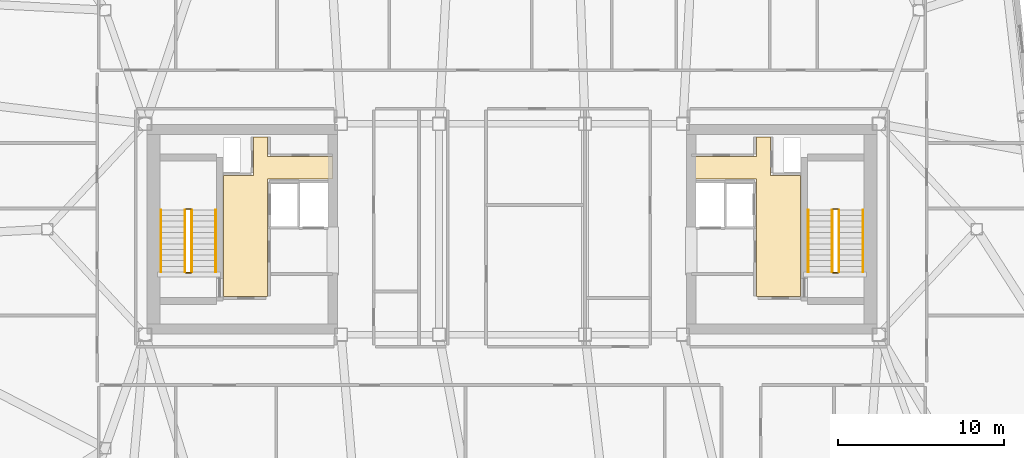
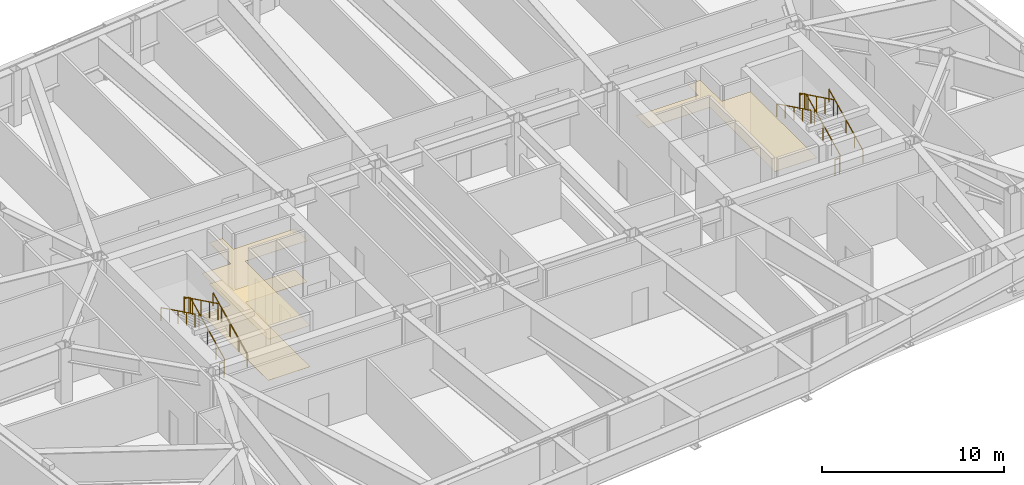
# One storey, part 18 of 18: 12 railings, 3 coverings.
"""IFC4 building model written with IfcOpenShell, lengths in metres."""

import ifcopenshell
import ifcopenshell.guid

model = None  # the IFC model being written
_history = None  # IfcOwnerHistory: only IFC2X3 demands one
_inside = {}  # id of a spatial element -> (the spatial element, [elements in it])
_under = {}  # id of a project, library or spatial element -> (it, [spatial elements below it])
_declared = {}  # id of a project -> (the project, [libraries it declares])
_typed = {}  # id of a type object -> (the type object, [elements of that type])
_made_of = {}  # id of a material, layer set ... -> (it, [elements and type objects made of it])


def new_model(schema):
    """Start an empty IFC model of exactly this schema.

    Asked for "IFC4X3", IfcOpenShell would pick the latest addendum, in which some entities
    have other attributes; the version numbers below select the first issue.
    IFC2X3 requires an IfcOwnerHistory on every rooted entity: one is made here for all.
    """
    global model, _history
    if schema == "IFC4X3":
        model = ifcopenshell.file(schema_version=(4, 3, 0, 0))
    else:
        model = ifcopenshell.file(schema=schema)
    _inside.clear()
    _under.clear()
    _declared.clear()
    _typed.clear()
    _made_of.clear()
    _history = None
    if model.schema == "IFC2X3":
        org = make("IfcOrganization", Name="unknown")
        user = make(
            "IfcPersonAndOrganization",
            ThePerson=make("IfcPerson", FamilyName="unknown"),
            TheOrganization=org,
        )
        app = make(
            "IfcApplication",
            ApplicationDeveloper=org,
            Version="unknown",
            ApplicationFullName="unknown",
            ApplicationIdentifier="unknown",
        )
        _history = make(
            "IfcOwnerHistory",
            OwningUser=user,
            OwningApplication=app,
            ChangeAction="ADDED",
            CreationDate=0,
        )
    return model


def make(cls, **values):
    """One entity of the class cls with the attributes given. An attribute that is None is left unset."""
    return model.create_entity(
        cls, **{name: value for name, value in values.items() if value is not None}
    )


def rooted(cls, **values):
    """An entity with a GlobalId (a new one), such as an element, a storey or a relation."""
    return make(cls, GlobalId=ifcopenshell.guid.new(), OwnerHistory=_history, **values)


def si_unit(unit_type, name, prefix=None):
    """IfcSIUnit, for example si_unit("LENGTHUNIT", "METRE", prefix="MILLI")."""
    return make("IfcSIUnit", UnitType=unit_type, Prefix=prefix, Name=name)


def assignment(units):
    """IfcUnitAssignment: the units of a project."""
    return None if units is None else make("IfcUnitAssignment", Units=units)


def point(xyz):
    """IfcCartesianPoint."""
    return None if xyz is None else make("IfcCartesianPoint", Coordinates=xyz)


def direction(xyz):
    """IfcDirection."""
    return None if xyz is None else make("IfcDirection", DirectionRatios=xyz)


def frame(location, z_axis=None, x_axis=None):
    """IfcAxis2Placement3D, a coordinate frame: its origin and axes. An axis left out is left unset."""
    return make(
        "IfcAxis2Placement3D",
        Location=point(location),
        Axis=direction(z_axis),
        RefDirection=direction(x_axis),
    )


def frame_2d(location, x_axis=None):
    """IfcAxis2Placement2D, a coordinate frame in the plane: its origin and x axis."""
    return make(
        "IfcAxis2Placement2D", Location=point(location), RefDirection=direction(x_axis)
    )


def origin():
    """The frame at (0, 0, 0) with its axes left unset."""
    return frame((0.0, 0.0, 0.0))


def origin_2d():
    """The frame at (0, 0) in the plane with its x axis left unset."""
    return frame_2d((0.0, 0.0))


def place(relative_to, where):
    """IfcLocalPlacement: puts the frame where relative to a parent placement (None: the world)."""
    return make(
        "IfcLocalPlacement", PlacementRelTo=relative_to, RelativePlacement=where
    )


def context(
    kind, dimensions, precision=None, world=None, true_north=None, identifier=None
):
    """IfcGeometricRepresentationContext, for example the 3D "Model" context."""
    return make(
        "IfcGeometricRepresentationContext",
        ContextIdentifier=identifier,
        ContextType=kind,
        CoordinateSpaceDimension=dimensions,
        Precision=precision,
        WorldCoordinateSystem=world,
        TrueNorth=true_north,
    )


def subcontext(parent, identifier, kind, view, scale=None):
    """IfcGeometricRepresentationSubContext, for example "Body" below "Model"."""
    return make(
        "IfcGeometricRepresentationSubContext",
        ContextIdentifier=identifier,
        ContextType=kind,
        ParentContext=parent,
        TargetScale=scale,
        TargetView=view,
    )


def project(units=None, contexts=None):
    """IfcProject with its units and contexts."""
    return rooted(
        "IfcProject",
        Name="project",
        RepresentationContexts=contexts,
        UnitsInContext=assignment(units),
    )


def spatial(cls, under=None, at=None, **own):
    """A site, building, storey or space (cls), placed at a placement, below another one or the project."""
    s = rooted(cls, ObjectPlacement=at, **own)
    if under is not None:
        _under.setdefault(under.id(), (under, []))[1].append(s)
    return s


def polyline(points):
    """IfcPolyline through the points."""
    return make("IfcPolyline", Points=[point(p) for p in points])


def profile(cls, at=None, kind="AREA", **sizes):
    """A parametric profile (cls). Its sizes go by their IFC names, for example OverallWidth=200.0."""
    return make(cls, ProfileType=kind, Position=at, **sizes)


def rectangle(**sizes):
    """IfcRectangleProfileDef."""
    return profile("IfcRectangleProfileDef", **sizes)


def outline(outer, holes=None, kind="AREA"):
    """IfcArbitraryClosedProfileDef: a profile drawn as a closed curve; with holes, ...WithVoids."""
    if holes is None:
        return make("IfcArbitraryClosedProfileDef", ProfileType=kind, OuterCurve=outer)
    return make(
        "IfcArbitraryProfileDefWithVoids",
        ProfileType=kind,
        OuterCurve=outer,
        InnerCurves=holes,
    )


def extrude(swept, where, along, depth):
    """IfcExtrudedAreaSolid: the profile swept, set in the frame where, extruded along a direction by depth."""
    return make(
        "IfcExtrudedAreaSolid",
        SweptArea=swept,
        Position=where,
        ExtrudedDirection=direction(along),
        Depth=depth,
    )


def shape(context_of_items, identifier, shape_type, items):
    """IfcShapeRepresentation: the items that make up one representation, for example the "Body"."""
    return make(
        "IfcShapeRepresentation",
        ContextOfItems=context_of_items,
        RepresentationIdentifier=identifier,
        RepresentationType=shape_type,
        Items=items,
    )


def material(Name=None, Category=None):
    """IfcMaterial."""
    return make("IfcMaterial", Name=Name, Category=Category)


def layer(
    of_material, thickness, ventilated=None, Name=None, Category=None, Priority=None
):
    """IfcMaterialLayer: one layer of a wall or slab, of a material (None: an air gap)."""
    return make(
        "IfcMaterialLayer",
        Material=of_material,
        LayerThickness=thickness,
        IsVentilated=ventilated,
        Name=Name,
        Category=Category,
        Priority=Priority,
    )


def layer_set(layers, Name=None):
    """IfcMaterialLayerSet."""
    return make("IfcMaterialLayerSet", MaterialLayers=layers, LayerSetName=Name)


def made_of(thing, what):
    """Note that an element or type object is made of a material, layer set ...; save() writes the relation."""
    if what is not None:
        _made_of.setdefault(what.id(), (what, []))[1].append(thing)
    return thing


def type_object(cls, material=None, **own):
    """A type object (cls), such as IfcWallType, which elements share."""
    return made_of(rooted(cls, **own), material)


def element(
    cls,
    number,
    at=None,
    inside=None,
    cuts=None,
    type_object=None,
    material=None,
    context=None,
    identifier="Body",
    shape_type=None,
    held_by="IfcProductDefinitionShape",
    body=None,
    shapes=None,
    **own,
):
    """One element of the class cls, such as IfcWall. Its Tag is "e" and its number.

    at: its placement. inside: the storey or other place that contains it. cuts: it is an
    opening in that element (IfcRelVoidsElement). A single representation is given by context,
    identifier, shape_type and body (its items); several are given by shapes. held_by: the class
    of the entity that holds the representations. save() writes the other relations.
    """
    e = rooted(cls, Tag="e%d" % number, ObjectPlacement=at, **own)
    if body is not None:
        shapes = [shape(context, identifier, shape_type, body)]
    if shapes is not None:
        e.Representation = make(held_by, Representations=shapes)
    if inside is not None:
        _inside.setdefault(inside.id(), (inside, []))[1].append(e)
    if cuts is not None:
        rooted(
            "IfcRelVoidsElement", RelatingBuildingElement=cuts, RelatedOpeningElement=e
        )
    if type_object is not None:
        _typed.setdefault(type_object.id(), (type_object, []))[1].append(e)
    return made_of(e, material)


def aggregate(whole, parts):
    """IfcRelAggregates: a whole, such as a stair, and the parts it consists of."""
    return rooted("IfcRelAggregates", RelatingObject=whole, RelatedObjects=parts)


def save(model, path):
    """Write the relations noted so far, then the file.

    IfcRelAggregates (storeys below a building ...), IfcRelContainedInSpatialStructure (elements
    in a storey), IfcRelDefinesByType, IfcRelAssociatesMaterial and IfcRelDeclares: one each for
    every whole, place, type object, material and project.
    """
    for whole, parts in _under.values():
        aggregate(whole, parts)
    for where, things in _inside.values():
        rooted(
            "IfcRelContainedInSpatialStructure",
            RelatedElements=things,
            RelatingStructure=where,
        )
    for kind, things in _typed.values():
        rooted("IfcRelDefinesByType", RelatedObjects=things, RelatingType=kind)
    for what, things in _made_of.values():
        rooted("IfcRelAssociatesMaterial", RelatedObjects=things, RelatingMaterial=what)
    for by, libraries in _declared.values():
        rooted("IfcRelDeclares", RelatingContext=by, RelatedDefinitions=libraries)
    model.write(path)


model = new_model("IFC4")

# Units and contexts
model_context = context("Model", 3, precision=1e-05, world=origin(), true_north=direction((0.0, 1.0)))
body_context = subcontext(model_context, "Body", "Model", "MODEL_VIEW")
ifc_project = project(units=[si_unit("LENGTHUNIT", "METRE"), si_unit("AREAUNIT", "SQUARE_METRE"), si_unit("VOLUMEUNIT", "CUBIC_METRE"), si_unit("PLANEANGLEUNIT", "RADIAN"), si_unit("MASSUNIT", "GRAM", prefix="KILO")], contexts=[model_context])

# Site, building, storey
site_placement = place(None, origin())
site = spatial("IfcSite", under=ifc_project, at=site_placement, CompositionType="ELEMENT")
building_placement = place(site_placement, origin())
building = spatial("IfcBuilding", under=site, at=building_placement, Name="Tavrogorsk Clinical Tower", CompositionType="ELEMENT")
storey_placement = place(building_placement, frame((0.0, 0.0, 267.0)))
storey = spatial("IfcBuildingStorey", under=building, at=storey_placement, Name="L62", CompositionType="ELEMENT", Elevation=267.0)

# Coverings
ifc_material_1 = material(Name="Antibacterial micro-perforated aluminium ceiling", Category="aluminium")
ifc_layer_1 = layer(ifc_material_1, 0.014892578125)
ifc_layer_set_1 = layer_set([ifc_layer_1], Name="Antibacterial micro-perforated aluminium ceiling")
covering_type_1 = type_object("IfcCoveringType", Name="ClinicalCeiling_15", PredefinedType="CEILING", material=ifc_layer_set_1)
covering_1_placement = place(storey_placement, frame((0.0, 0.0, 2.75)))
element("IfcCovering", 1, at=covering_1_placement, inside=storey, type_object=covering_type_1, Name="Core West Firefighting Lift Lobby Acoustic Ceiling", PredefinedType="CEILING", context=body_context, shape_type="SweptSolid", body=[
    extrude(outline(polyline([(-14.719970703125, 4.3798828125), (-10.800048828125, 4.3798828125), (-10.800048828125, 3.0400390625), (-14.719970703125, 3.0400390625), (-14.719970703125, -4.06005859375), (-17.3798828125, -4.06005859375), (-17.3798828125, 3.239990234375), (-15.56005859375, 3.239990234375), (-15.56005859375, 5.56005859375), (-14.719970703125, 5.56005859375), (-14.719970703125, 4.3798828125)])), origin(), (0.0, 0.0, 1.0), 0.014892578125),
])
covering_2_placement = place(storey_placement, frame((0.0, 0.0, 2.75)))
element("IfcCovering", 2, at=covering_2_placement, inside=storey, type_object=covering_type_1, Name="Core East Firefighting Lift Lobby Acoustic Ceiling", PredefinedType="CEILING", context=body_context, shape_type="SweptSolid", body=[
    extrude(outline(polyline([(14.719970703125, -4.06005859375), (14.719970703125, 3.0400390625), (10.800048828125, 3.0400390625), (10.800048828125, 4.3798828125), (14.719970703125, 4.3798828125), (14.719970703125, 5.56005859375), (15.56005859375, 5.56005859375), (15.56005859375, 3.239990234375), (17.3798828125, 3.239990234375), (17.3798828125, -4.06005859375), (14.719970703125, -4.06005859375)])), origin(), (0.0, 0.0, 1.0), 0.014892578125),
])
ifc_material_2 = material(Name="Homogeneous medical conductive PVC flooring")
ifc_layer_2 = layer(ifc_material_2, 0.008056640625)
ifc_layer_set_2 = layer_set([ifc_layer_2], Name="Homogeneous medical conductive PVC flooring")
covering_type_2 = type_object("IfcCoveringType", Name="ResilientVinylFloor_8", PredefinedType="FLOORING", material=ifc_layer_set_2)
covering_3_placement = place(storey_placement, origin())
element("IfcCovering", 3, at=covering_3_placement, inside=storey, type_object=covering_type_2, Name="Core West Firefighting Lift Lobby Conductive Vinyl Flooring", PredefinedType="FLOORING", context=body_context, shape_type="SweptSolid", body=[
    extrude(outline(polyline([(-14.719970703125, 4.3798828125), (-10.800048828125, 4.3798828125), (-10.800048828125, 3.0400390625), (-14.719970703125, 3.0400390625), (-14.719970703125, -4.06005859375), (-17.3798828125, -4.06005859375), (-17.3798828125, 3.239990234375), (-15.56005859375, 3.239990234375), (-15.56005859375, 5.56005859375), (-14.719970703125, 5.56005859375), (-14.719970703125, 4.3798828125)])), origin(), (0.0, 0.0, 1.0), 0.008056640625),
])

# Railings
ifc_material_3 = material(Name="Galvanised steel S355 safety stairwell guard", Category="steel")
ifc_layer_3 = layer(ifc_material_3, 0.06005859375)
ifc_layer_set_3 = layer_set([ifc_layer_3], Name="Galvanised steel S355 safety stairwell guard")
railing_type_1 = type_object("IfcRailingType", Name="StairGuard_1150", PredefinedType="GUARDRAIL", material=ifc_layer_set_3)
railing_1_placement = place(storey_placement, frame((-19.300048828125, -2.574951171875, 0.166748046875)))
element("IfcRailing", 4, at=railing_1_placement, inside=storey, type_object=railing_type_1, Name="L62 ST-W stair guard 1", PredefinedType="GUARDRAIL", context=body_context, shape_type="SweptSolid", body=[
    extrude(rectangle(XDim=0.048095703125, YDim=0.048095703125, at=origin_2d()), frame((0.0, 0.0, 1.076171875), z_axis=(0.0, 0.897927990467, 0.440142390523), x_axis=(-1.0, 0.0, 0.0)), (0.0, 0.0, 1.0), 4.1650390625),
    extrude(rectangle(XDim=0.0419921875, YDim=0.0419921875, at=origin_2d()), origin(), (0.0, 0.0, 1.0), 1.052001953125),
    extrude(rectangle(XDim=0.0419921875, YDim=0.0419921875, at=origin_2d()), frame((0.0, 0.93505859375, 0.458251953125)), (0.0, 0.0, 1.0), 1.052001953125),
    extrude(rectangle(XDim=0.0419921875, YDim=0.0419921875, at=origin_2d()), frame((0.0, 1.8701171875, 0.91650390625)), (0.0, 0.0, 1.0), 1.052001953125),
    extrude(rectangle(XDim=0.0419921875, YDim=0.0419921875, at=origin_2d()), frame((0.0, 2.804931640625, 1.375)), (0.0, 0.0, 1.0), 1.052001953125),
    extrude(rectangle(XDim=0.0419921875, YDim=0.0419921875, at=origin_2d()), frame((0.0, 3.739990234375, 1.833251953125)), (0.0, 0.0, 1.0), 1.052001953125),
])
railing_2_placement = place(storey_placement, frame((-19.35009765625, 1.215087890625, 2.0)))
element("IfcRailing", 5, at=railing_2_placement, inside=storey, type_object=railing_type_1, Name="L62 ST-W stair guard 2", PredefinedType="GUARDRAIL", context=body_context, shape_type="SweptSolid", body=[
    extrude(rectangle(XDim=0.048095703125, YDim=0.048095703125, at=origin_2d()), frame((0.0, 0.0, 1.076171875), z_axis=(-1.0, 0.0, 0.0), x_axis=(0.0, -1.0, 0.0)), (0.0, 0.0, 1.0), 0.2998046875),
    extrude(rectangle(XDim=0.0419921875, YDim=0.0419921875, at=origin_2d()), origin(), (0.0, 0.0, 1.0), 1.052001953125),
    extrude(rectangle(XDim=0.0419921875, YDim=0.0419921875, at=origin_2d()), frame((-0.2998046875, 0.0, 0.0)), (0.0, 0.0, 1.0), 1.052001953125),
])
railing_3_placement = place(storey_placement, frame((-19.699951171875, 1.1650390625, 2.166748046875)))
element("IfcRailing", 6, at=railing_3_placement, inside=storey, type_object=railing_type_1, Name="L62 ST-W stair guard 3", PredefinedType="GUARDRAIL", context=body_context, shape_type="SweptSolid", body=[
    extrude(rectangle(XDim=0.048095703125, YDim=0.048095703125, at=origin_2d()), frame((0.0, 0.0, 1.076171875), z_axis=(0.0, -0.897927990467, 0.440142390523), x_axis=(1.0, 0.0, 0.0)), (0.0, 0.0, 1.0), 4.1650390625),
    extrude(rectangle(XDim=0.0419921875, YDim=0.0419921875, at=origin_2d()), origin(), (0.0, 0.0, 1.0), 1.052001953125),
    extrude(rectangle(XDim=0.0419921875, YDim=0.0419921875, at=origin_2d()), frame((0.0, -0.93505859375, 0.458251953125)), (0.0, 0.0, 1.0), 1.052001953125),
    extrude(rectangle(XDim=0.0419921875, YDim=0.0419921875, at=origin_2d()), frame((0.0, -1.8701171875, 0.91650390625)), (0.0, 0.0, 1.0), 1.052001953125),
    extrude(rectangle(XDim=0.0419921875, YDim=0.0419921875, at=origin_2d()), frame((0.0, -2.804931640625, 1.375)), (0.0, 0.0, 1.0), 1.052001953125),
    extrude(rectangle(XDim=0.0419921875, YDim=0.0419921875, at=origin_2d()), frame((0.0, -3.739990234375, 1.833251953125)), (0.0, 0.0, 1.0), 1.052001953125),
])
railing_4_placement = place(storey_placement, frame((-19.35009765625, -2.625, 0.0)))
element("IfcRailing", 7, at=railing_4_placement, inside=storey, type_object=railing_type_1, Name="L62 ST-W stair guard 4", PredefinedType="GUARDRAIL", context=body_context, shape_type="SweptSolid", body=[
    extrude(rectangle(XDim=0.048095703125, YDim=0.048095703125, at=origin_2d()), frame((0.0, 0.0, 1.076171875), z_axis=(-1.0, 0.0, 0.0), x_axis=(0.0, -1.0, 0.0)), (0.0, 0.0, 1.0), 0.2998046875),
    extrude(rectangle(XDim=0.0419921875, YDim=0.0419921875, at=origin_2d()), origin(), (0.0, 0.0, 1.0), 1.052001953125),
    extrude(rectangle(XDim=0.0419921875, YDim=0.0419921875, at=origin_2d()), frame((-0.2998046875, 0.0, 0.0)), (0.0, 0.0, 1.0), 1.052001953125),
])
railing_5_placement = place(storey_placement, frame((19.699951171875, -2.574951171875, 0.166748046875)))
element("IfcRailing", 8, at=railing_5_placement, inside=storey, type_object=railing_type_1, Name="L62 ST-E stair guard 1", PredefinedType="GUARDRAIL", context=body_context, shape_type="SweptSolid", body=[
    extrude(rectangle(XDim=0.048095703125, YDim=0.048095703125, at=origin_2d()), frame((0.0, 0.0, 1.076171875), z_axis=(0.0, 0.897927990467, 0.440142390523), x_axis=(-1.0, 0.0, 0.0)), (0.0, 0.0, 1.0), 4.1650390625),
    extrude(rectangle(XDim=0.0419921875, YDim=0.0419921875, at=origin_2d()), origin(), (0.0, 0.0, 1.0), 1.052001953125),
    extrude(rectangle(XDim=0.0419921875, YDim=0.0419921875, at=origin_2d()), frame((0.0, 0.93505859375, 0.458251953125)), (0.0, 0.0, 1.0), 1.052001953125),
    extrude(rectangle(XDim=0.0419921875, YDim=0.0419921875, at=origin_2d()), frame((0.0, 1.8701171875, 0.91650390625)), (0.0, 0.0, 1.0), 1.052001953125),
    extrude(rectangle(XDim=0.0419921875, YDim=0.0419921875, at=origin_2d()), frame((0.0, 2.804931640625, 1.375)), (0.0, 0.0, 1.0), 1.052001953125),
    extrude(rectangle(XDim=0.0419921875, YDim=0.0419921875, at=origin_2d()), frame((0.0, 3.739990234375, 1.833251953125)), (0.0, 0.0, 1.0), 1.052001953125),
])
railing_6_placement = place(storey_placement, frame((19.64990234375, 1.215087890625, 2.0)))
element("IfcRailing", 9, at=railing_6_placement, inside=storey, type_object=railing_type_1, Name="L62 ST-E stair guard 2", PredefinedType="GUARDRAIL", context=body_context, shape_type="SweptSolid", body=[
    extrude(rectangle(XDim=0.048095703125, YDim=0.048095703125, at=origin_2d()), frame((0.0, 0.0, 1.076171875), z_axis=(-1.0, 0.0, 0.0), x_axis=(0.0, -1.0, 0.0)), (0.0, 0.0, 1.0), 0.2998046875),
    extrude(rectangle(XDim=0.0419921875, YDim=0.0419921875, at=origin_2d()), origin(), (0.0, 0.0, 1.0), 1.052001953125),
    extrude(rectangle(XDim=0.0419921875, YDim=0.0419921875, at=origin_2d()), frame((-0.2998046875, 0.0, 0.0)), (0.0, 0.0, 1.0), 1.052001953125),
])
railing_7_placement = place(storey_placement, frame((19.300048828125, 1.1650390625, 2.166748046875)))
element("IfcRailing", 10, at=railing_7_placement, inside=storey, type_object=railing_type_1, Name="L62 ST-E stair guard 3", PredefinedType="GUARDRAIL", context=body_context, shape_type="SweptSolid", body=[
    extrude(rectangle(XDim=0.048095703125, YDim=0.048095703125, at=origin_2d()), frame((0.0, 0.0, 1.076171875), z_axis=(0.0, -0.897927990467, 0.440142390523), x_axis=(1.0, 0.0, 0.0)), (0.0, 0.0, 1.0), 4.1650390625),
    extrude(rectangle(XDim=0.0419921875, YDim=0.0419921875, at=origin_2d()), origin(), (0.0, 0.0, 1.0), 1.052001953125),
    extrude(rectangle(XDim=0.0419921875, YDim=0.0419921875, at=origin_2d()), frame((0.0, -0.93505859375, 0.458251953125)), (0.0, 0.0, 1.0), 1.052001953125),
    extrude(rectangle(XDim=0.0419921875, YDim=0.0419921875, at=origin_2d()), frame((0.0, -1.8701171875, 0.91650390625)), (0.0, 0.0, 1.0), 1.052001953125),
    extrude(rectangle(XDim=0.0419921875, YDim=0.0419921875, at=origin_2d()), frame((0.0, -2.804931640625, 1.375)), (0.0, 0.0, 1.0), 1.052001953125),
    extrude(rectangle(XDim=0.0419921875, YDim=0.0419921875, at=origin_2d()), frame((0.0, -3.739990234375, 1.833251953125)), (0.0, 0.0, 1.0), 1.052001953125),
])
railing_8_placement = place(storey_placement, frame((19.64990234375, -2.625, 0.0)))
element("IfcRailing", 11, at=railing_8_placement, inside=storey, type_object=railing_type_1, Name="L62 ST-E stair guard 4", PredefinedType="GUARDRAIL", context=body_context, shape_type="SweptSolid", body=[
    extrude(rectangle(XDim=0.048095703125, YDim=0.048095703125, at=origin_2d()), frame((0.0, 0.0, 1.076171875), z_axis=(-1.0, 0.0, 0.0), x_axis=(0.0, -1.0, 0.0)), (0.0, 0.0, 1.0), 0.2998046875),
    extrude(rectangle(XDim=0.0419921875, YDim=0.0419921875, at=origin_2d()), origin(), (0.0, 0.0, 1.0), 1.052001953125),
    extrude(rectangle(XDim=0.0419921875, YDim=0.0419921875, at=origin_2d()), frame((-0.2998046875, 0.0, 0.0)), (0.0, 0.0, 1.0), 1.052001953125),
])
ifc_material_4 = material(Name="Stainless steel AISI 304 tubular handrail", Category="steel")
ifc_layer_4 = layer(ifc_material_4, 0.050048828125)
ifc_layer_set_4 = layer_set([ifc_layer_4], Name="Stainless steel AISI 304 tubular handrail")
railing_type_2 = type_object("IfcRailingType", Name="StairHandrail_920", PredefinedType="HANDRAIL", material=ifc_layer_set_4)
railing_9_placement = place(storey_placement, frame((-17.85009765625, -2.574951171875, 0.166748046875)))
element("IfcRailing", 12, at=railing_9_placement, inside=storey, type_object=railing_type_2, Name="L62 ST-W stair handrail 1", PredefinedType="HANDRAIL", context=body_context, shape_type="SweptSolid", body=[
    extrude(rectangle(XDim=0.048095703125, YDim=0.048095703125, at=origin_2d()), frame((0.0, 0.0, 0.8759765625), z_axis=(0.0, 0.897927990467, 0.440142390523), x_axis=(-1.0, 0.0, 0.0)), (0.0, 0.0, 1.0), 4.1650390625),
    extrude(rectangle(XDim=0.0419921875, YDim=0.0419921875, at=origin_2d()), origin(), (0.0, 0.0, 1.0), 0.851806640625),
    extrude(rectangle(XDim=0.0419921875, YDim=0.0419921875, at=origin_2d()), frame((0.0, 0.93505859375, 0.458251953125)), (0.0, 0.0, 1.0), 0.851806640625),
    extrude(rectangle(XDim=0.0419921875, YDim=0.0419921875, at=origin_2d()), frame((0.0, 1.8701171875, 0.91650390625)), (0.0, 0.0, 1.0), 0.851806640625),
    extrude(rectangle(XDim=0.0419921875, YDim=0.0419921875, at=origin_2d()), frame((0.0, 2.804931640625, 1.375)), (0.0, 0.0, 1.0), 0.851806640625),
    extrude(rectangle(XDim=0.0419921875, YDim=0.0419921875, at=origin_2d()), frame((0.0, 3.739990234375, 1.833251953125)), (0.0, 0.0, 1.0), 0.851806640625),
])
railing_10_placement = place(storey_placement, frame((-21.14990234375, 1.1650390625, 2.166748046875)))
element("IfcRailing", 13, at=railing_10_placement, inside=storey, type_object=railing_type_2, Name="L62 ST-W stair handrail 2", PredefinedType="HANDRAIL", context=body_context, shape_type="SweptSolid", body=[
    extrude(rectangle(XDim=0.048095703125, YDim=0.048095703125, at=origin_2d()), frame((0.0, 0.0, 0.8759765625), z_axis=(0.0, -0.897927990467, 0.440142390523), x_axis=(1.0, 0.0, 0.0)), (0.0, 0.0, 1.0), 4.1650390625),
    extrude(rectangle(XDim=0.0419921875, YDim=0.0419921875, at=origin_2d()), origin(), (0.0, 0.0, 1.0), 0.851806640625),
    extrude(rectangle(XDim=0.0419921875, YDim=0.0419921875, at=origin_2d()), frame((0.0, -0.93505859375, 0.458251953125)), (0.0, 0.0, 1.0), 0.851806640625),
    extrude(rectangle(XDim=0.0419921875, YDim=0.0419921875, at=origin_2d()), frame((0.0, -1.8701171875, 0.91650390625)), (0.0, 0.0, 1.0), 0.851806640625),
    extrude(rectangle(XDim=0.0419921875, YDim=0.0419921875, at=origin_2d()), frame((0.0, -2.804931640625, 1.375)), (0.0, 0.0, 1.0), 0.851806640625),
    extrude(rectangle(XDim=0.0419921875, YDim=0.0419921875, at=origin_2d()), frame((0.0, -3.739990234375, 1.833251953125)), (0.0, 0.0, 1.0), 0.851806640625),
])
railing_11_placement = place(storey_placement, frame((21.14990234375, -2.574951171875, 0.166748046875)))
element("IfcRailing", 14, at=railing_11_placement, inside=storey, type_object=railing_type_2, Name="L62 ST-E stair handrail 1", PredefinedType="HANDRAIL", context=body_context, shape_type="SweptSolid", body=[
    extrude(rectangle(XDim=0.048095703125, YDim=0.048095703125, at=origin_2d()), frame((0.0, 0.0, 0.8759765625), z_axis=(0.0, 0.897927990467, 0.440142390523), x_axis=(-1.0, 0.0, 0.0)), (0.0, 0.0, 1.0), 4.1650390625),
    extrude(rectangle(XDim=0.0419921875, YDim=0.0419921875, at=origin_2d()), origin(), (0.0, 0.0, 1.0), 0.851806640625),
    extrude(rectangle(XDim=0.0419921875, YDim=0.0419921875, at=origin_2d()), frame((0.0, 0.93505859375, 0.458251953125)), (0.0, 0.0, 1.0), 0.851806640625),
    extrude(rectangle(XDim=0.0419921875, YDim=0.0419921875, at=origin_2d()), frame((0.0, 1.8701171875, 0.91650390625)), (0.0, 0.0, 1.0), 0.851806640625),
    extrude(rectangle(XDim=0.0419921875, YDim=0.0419921875, at=origin_2d()), frame((0.0, 2.804931640625, 1.375)), (0.0, 0.0, 1.0), 0.851806640625),
    extrude(rectangle(XDim=0.0419921875, YDim=0.0419921875, at=origin_2d()), frame((0.0, 3.739990234375, 1.833251953125)), (0.0, 0.0, 1.0), 0.851806640625),
])
railing_12_placement = place(storey_placement, frame((17.85009765625, 1.1650390625, 2.166748046875)))
element("IfcRailing", 15, at=railing_12_placement, inside=storey, type_object=railing_type_2, Name="L62 ST-E stair handrail 2", PredefinedType="HANDRAIL", context=body_context, shape_type="SweptSolid", body=[
    extrude(rectangle(XDim=0.048095703125, YDim=0.048095703125, at=origin_2d()), frame((0.0, 0.0, 0.8759765625), z_axis=(0.0, -0.897927990467, 0.440142390523), x_axis=(1.0, 0.0, 0.0)), (0.0, 0.0, 1.0), 4.1650390625),
    extrude(rectangle(XDim=0.0419921875, YDim=0.0419921875, at=origin_2d()), origin(), (0.0, 0.0, 1.0), 0.851806640625),
    extrude(rectangle(XDim=0.0419921875, YDim=0.0419921875, at=origin_2d()), frame((0.0, -0.93505859375, 0.458251953125)), (0.0, 0.0, 1.0), 0.851806640625),
    extrude(rectangle(XDim=0.0419921875, YDim=0.0419921875, at=origin_2d()), frame((0.0, -1.8701171875, 0.91650390625)), (0.0, 0.0, 1.0), 0.851806640625),
    extrude(rectangle(XDim=0.0419921875, YDim=0.0419921875, at=origin_2d()), frame((0.0, -2.804931640625, 1.375)), (0.0, 0.0, 1.0), 0.851806640625),
    extrude(rectangle(XDim=0.0419921875, YDim=0.0419921875, at=origin_2d()), frame((0.0, -3.739990234375, 1.833251953125)), (0.0, 0.0, 1.0), 0.851806640625),
])

save(model, "model.ifc")
